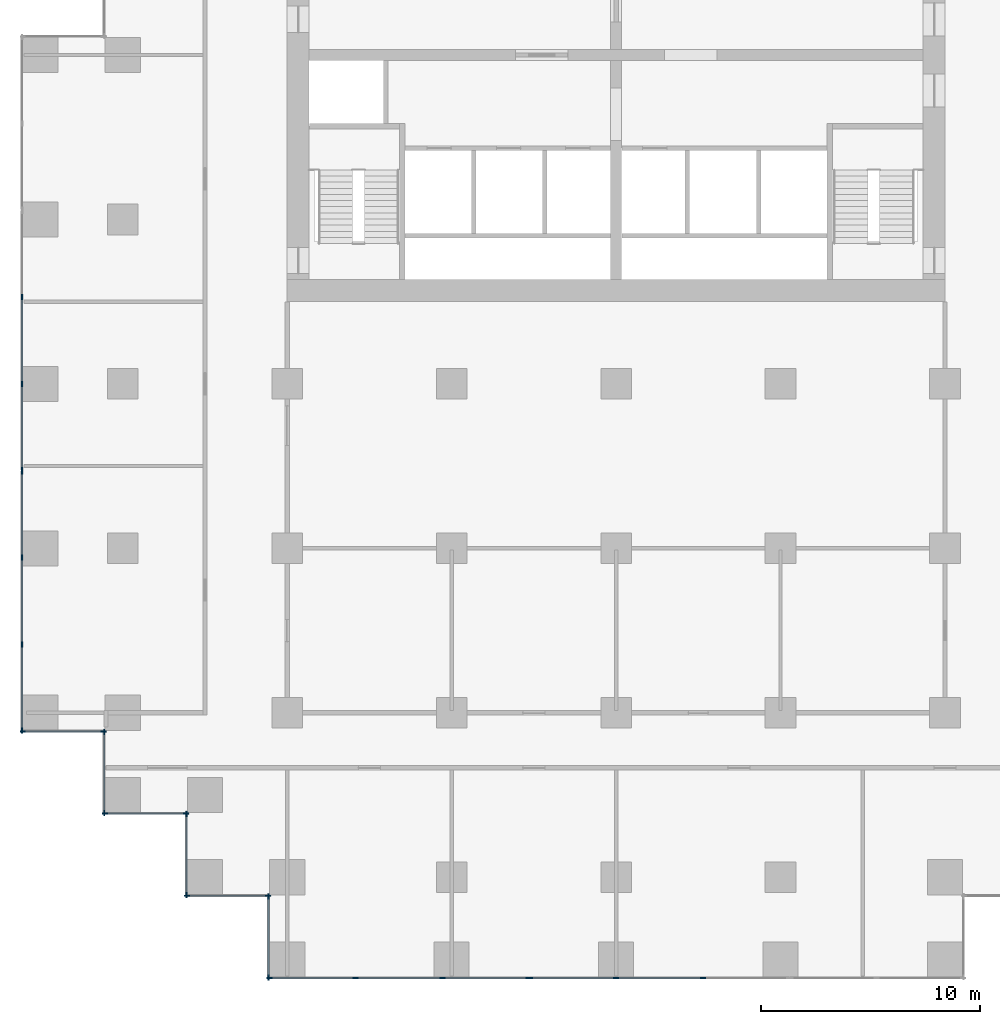
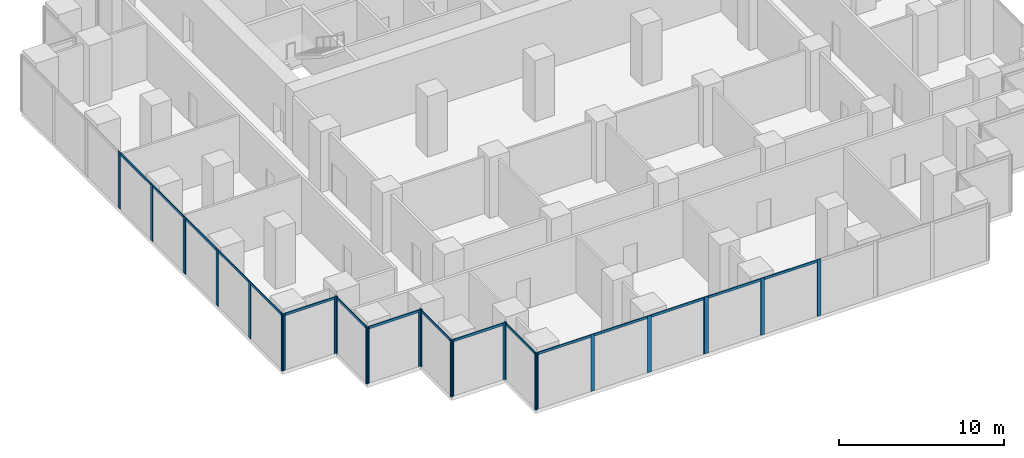
# One storey, part 2 of 10: 42 members, 10 elements without a shape of their own.
"""IFC4 building model written with IfcOpenShell, lengths in metres."""

from ifc_helpers import new_model, si_unit, direction, frame, origin, origin_2d, place, context, subcontext, project, spatial, rectangle, extrude, material, material_profile, profile_set, type_object, element, aggregate, save


model = new_model("IFC4")

# Units and contexts
model_context = context("Model", 3, precision=1e-05, world=origin(), true_north=direction((0.0, 1.0)))
body_context = subcontext(model_context, "Body", "Model", "MODEL_VIEW")
ifc_project = project(units=[si_unit("LENGTHUNIT", "METRE"), si_unit("AREAUNIT", "SQUARE_METRE"), si_unit("VOLUMEUNIT", "CUBIC_METRE"), si_unit("PLANEANGLEUNIT", "RADIAN"), si_unit("MASSUNIT", "GRAM", prefix="KILO")], contexts=[model_context])

# Site, building, storey
site_placement = place(None, origin())
site = spatial("IfcSite", under=ifc_project, at=site_placement, CompositionType="ELEMENT")
building_placement = place(site_placement, origin())
building = spatial("IfcBuilding", under=site, at=building_placement, Name="Pilkhan Gate Tower", CompositionType="ELEMENT")
storey_placement = place(building_placement, frame((0.0, 0.0, 35.0)))
storey = spatial("IfcBuildingStorey", under=building, at=storey_placement, Name="L05", CompositionType="ELEMENT", Elevation=35.0)

# Curtain wall, members
ifc_material_1 = material(Name="Pale anodised aluminium, clear low-iron double glazing", Category="aluminium")
curtain_wall_type = type_object("IfcCurtainWallType", Name="Hotel unitised curtain wall CW-H", PredefinedType="USERDEFINED", material=ifc_material_1)
curtain_wall_1_placement = place(storey_placement, origin())
curtain_wall_1 = element("IfcCurtainWall", 1, at=curtain_wall_1_placement, inside=storey, type_object=curtain_wall_type, Name="Hotel unitised curtain wall CW-H L05 W", ObjectType="UNITISED CURTAIN WALL", PredefinedType="USERDEFINED")
ifc_material_2 = material(Name="Pale anodised aluminium", Category="aluminium")
ifc_material_profile_1 = material_profile(ifc_material_2, rectangle(XDim=0.06494140625, YDim=0.25, at=origin_2d()), Name="Mullion 250x65")
ifc_profile_set_1 = profile_set([ifc_material_profile_1], Name="Pale anodised aluminium")
member_type_1 = type_object("IfcMemberType", Name="Mullion CW-H 250x65", PredefinedType="MULLION", material=ifc_profile_set_1)
member_1_placement = place(storey_placement, frame((47.905029296875, 51.6875, 0.0), z_axis=(0.0, 0.0, 1.0), x_axis=(-1.0, 0.0, 0.0)))
member_1 = element("IfcMember", 2, at=member_1_placement, type_object=member_type_1, Name="CW-H mullion 1", PredefinedType="MULLION", context=body_context, shape_type="SweptSolid", body=[
    extrude(rectangle(XDim=0.06494140625, YDim=0.25, at=origin_2d()), origin(), (0.0, 0.0, 1.0), 4.199951171875),
])
member_2_placement = place(storey_placement, frame((47.905029296875, 55.6162109375, 0.0), z_axis=(0.0, 0.0, 1.0), x_axis=(-1.0, 0.0, 0.0)))
member_2 = element("IfcMember", 3, at=member_2_placement, type_object=member_type_1, Name="CW-H mullion 2", PredefinedType="MULLION", context=body_context, shape_type="SweptSolid", body=[
    extrude(rectangle(XDim=0.06494140625, YDim=0.25, at=origin_2d()), origin(), (0.0, 0.0, 1.0), 4.199951171875),
])
member_3_placement = place(storey_placement, frame((47.905029296875, 59.577392578125, 0.0), z_axis=(0.0, 0.0, 1.0), x_axis=(-1.0, 0.0, 0.0)))
member_3 = element("IfcMember", 4, at=member_3_placement, type_object=member_type_1, Name="CW-H mullion 3", PredefinedType="MULLION", context=body_context, shape_type="SweptSolid", body=[
    extrude(rectangle(XDim=0.06494140625, YDim=0.25, at=origin_2d()), origin(), (0.0, 0.0, 1.0), 4.199951171875),
])
member_4_placement = place(storey_placement, frame((47.905029296875, 63.50634765625, 0.0), z_axis=(0.0, 0.0, 1.0), x_axis=(-1.0, 0.0, 0.0)))
member_4 = element("IfcMember", 5, at=member_4_placement, type_object=member_type_1, Name="CW-H mullion 4", PredefinedType="MULLION", context=body_context, shape_type="SweptSolid", body=[
    extrude(rectangle(XDim=0.06494140625, YDim=0.25, at=origin_2d()), origin(), (0.0, 0.0, 1.0), 4.199951171875),
])

curtain_wall_2_placement = place(storey_placement, origin())
curtain_wall_2 = element("IfcCurtainWall", 6, at=curtain_wall_2_placement, inside=storey, type_object=curtain_wall_type, Name="Hotel unitised curtain wall CW-H L05 W", ObjectType="UNITISED CURTAIN WALL", PredefinedType="USERDEFINED")
member_5_placement = place(storey_placement, frame((47.905029296875, 63.5712890625, 0.0), z_axis=(0.0, 0.0, 1.0), x_axis=(-1.0, 0.0, 0.0)))
member_5 = element("IfcMember", 7, at=member_5_placement, type_object=member_type_1, Name="CW-H mullion 1", PredefinedType="MULLION", context=body_context, shape_type="SweptSolid", body=[
    extrude(rectangle(XDim=0.06494140625, YDim=0.25, at=origin_2d()), origin(), (0.0, 0.0, 1.0), 4.199951171875),
])
member_6_placement = place(storey_placement, frame((47.905029296875, 67.5, 0.0), z_axis=(0.0, 0.0, 1.0), x_axis=(-1.0, 0.0, 0.0)))
member_6 = element("IfcMember", 8, at=member_6_placement, type_object=member_type_1, Name="CW-H mullion 2", PredefinedType="MULLION", context=body_context, shape_type="SweptSolid", body=[
    extrude(rectangle(XDim=0.06494140625, YDim=0.25, at=origin_2d()), origin(), (0.0, 0.0, 1.0), 4.199951171875),
])
member_7_placement = place(storey_placement, frame((47.905029296875, 71.461181640625, 0.0), z_axis=(0.0, 0.0, 1.0), x_axis=(-1.0, 0.0, 0.0)))
member_7 = element("IfcMember", 9, at=member_7_placement, type_object=member_type_1, Name="CW-H mullion 3", PredefinedType="MULLION", context=body_context, shape_type="SweptSolid", body=[
    extrude(rectangle(XDim=0.06494140625, YDim=0.25, at=origin_2d()), origin(), (0.0, 0.0, 1.0), 4.199951171875),
])

curtain_wall_3_placement = place(storey_placement, origin())
curtain_wall_3 = element("IfcCurtainWall", 10, at=curtain_wall_3_placement, inside=storey, type_object=curtain_wall_type, Name="Hotel unitised curtain wall CW-H L05 S", ObjectType="UNITISED CURTAIN WALL", PredefinedType="USERDEFINED")
member_8_placement = place(storey_placement, frame((47.9375, 51.655029296875, 0.0), z_axis=(0.0, 0.0, 1.0), x_axis=(0.0, 1.0, 0.0)))
member_8 = element("IfcMember", 11, at=member_8_placement, type_object=member_type_1, Name="CW-H mullion 1", PredefinedType="MULLION", context=body_context, shape_type="SweptSolid", body=[
    extrude(rectangle(XDim=0.06494140625, YDim=0.25, at=origin_2d()), origin(), (0.0, 0.0, 1.0), 4.199951171875),
])
member_9_placement = place(storey_placement, frame((51.62255859375, 51.655029296875, 0.0), z_axis=(0.0, 0.0, 1.0), x_axis=(0.0, 1.0, 0.0)))
member_9 = element("IfcMember", 12, at=member_9_placement, type_object=member_type_1, Name="CW-H mullion 2", PredefinedType="MULLION", context=body_context, shape_type="SweptSolid", body=[
    extrude(rectangle(XDim=0.06494140625, YDim=0.25, at=origin_2d()), origin(), (0.0, 0.0, 1.0), 4.199951171875),
])

curtain_wall_4_placement = place(storey_placement, origin())
curtain_wall_4 = element("IfcCurtainWall", 13, at=curtain_wall_4_placement, inside=storey, type_object=curtain_wall_type, Name="Hotel unitised curtain wall CW-H L05 W", ObjectType="UNITISED CURTAIN WALL", PredefinedType="USERDEFINED")
member_10_placement = place(storey_placement, frame((51.655029296875, 47.9375, 0.0), z_axis=(0.0, 0.0, 1.0), x_axis=(-1.0, 0.0, 0.0)))
member_10 = element("IfcMember", 14, at=member_10_placement, type_object=member_type_1, Name="CW-H mullion 1", PredefinedType="MULLION", context=body_context, shape_type="SweptSolid", body=[
    extrude(rectangle(XDim=0.06494140625, YDim=0.25, at=origin_2d()), origin(), (0.0, 0.0, 1.0), 4.199951171875),
])
member_11_placement = place(storey_placement, frame((51.655029296875, 51.62255859375, 0.0), z_axis=(0.0, 0.0, 1.0), x_axis=(-1.0, 0.0, 0.0)))
member_11 = element("IfcMember", 15, at=member_11_placement, type_object=member_type_1, Name="CW-H mullion 2", PredefinedType="MULLION", context=body_context, shape_type="SweptSolid", body=[
    extrude(rectangle(XDim=0.06494140625, YDim=0.25, at=origin_2d()), origin(), (0.0, 0.0, 1.0), 4.199951171875),
])

curtain_wall_5_placement = place(storey_placement, origin())
curtain_wall_5 = element("IfcCurtainWall", 16, at=curtain_wall_5_placement, inside=storey, type_object=curtain_wall_type, Name="Hotel unitised curtain wall CW-H L05 S", ObjectType="UNITISED CURTAIN WALL", PredefinedType="USERDEFINED")
member_12_placement = place(storey_placement, frame((51.6875, 47.905029296875, 0.0), z_axis=(0.0, 0.0, 1.0), x_axis=(0.0, 1.0, 0.0)))
member_12 = element("IfcMember", 17, at=member_12_placement, type_object=member_type_1, Name="CW-H mullion 1", PredefinedType="MULLION", context=body_context, shape_type="SweptSolid", body=[
    extrude(rectangle(XDim=0.06494140625, YDim=0.25, at=origin_2d()), origin(), (0.0, 0.0, 1.0), 4.199951171875),
])
member_13_placement = place(storey_placement, frame((55.37255859375, 47.905029296875, 0.0), z_axis=(0.0, 0.0, 1.0), x_axis=(0.0, 1.0, 0.0)))
member_13 = element("IfcMember", 18, at=member_13_placement, type_object=member_type_1, Name="CW-H mullion 2", PredefinedType="MULLION", context=body_context, shape_type="SweptSolid", body=[
    extrude(rectangle(XDim=0.06494140625, YDim=0.25, at=origin_2d()), origin(), (0.0, 0.0, 1.0), 4.199951171875),
])

curtain_wall_6_placement = place(storey_placement, origin())
curtain_wall_6 = element("IfcCurtainWall", 19, at=curtain_wall_6_placement, inside=storey, type_object=curtain_wall_type, Name="Hotel unitised curtain wall CW-H L05 W", ObjectType="UNITISED CURTAIN WALL", PredefinedType="USERDEFINED")
member_14_placement = place(storey_placement, frame((55.405029296875, 44.1875, 0.0), z_axis=(0.0, 0.0, 1.0), x_axis=(-1.0, 0.0, 0.0)))
member_14 = element("IfcMember", 20, at=member_14_placement, type_object=member_type_1, Name="CW-H mullion 1", PredefinedType="MULLION", context=body_context, shape_type="SweptSolid", body=[
    extrude(rectangle(XDim=0.06494140625, YDim=0.25, at=origin_2d()), origin(), (0.0, 0.0, 1.0), 4.199951171875),
])
member_15_placement = place(storey_placement, frame((55.405029296875, 47.87255859375, 0.0), z_axis=(0.0, 0.0, 1.0), x_axis=(-1.0, 0.0, 0.0)))
member_15 = element("IfcMember", 21, at=member_15_placement, type_object=member_type_1, Name="CW-H mullion 2", PredefinedType="MULLION", context=body_context, shape_type="SweptSolid", body=[
    extrude(rectangle(XDim=0.06494140625, YDim=0.25, at=origin_2d()), origin(), (0.0, 0.0, 1.0), 4.199951171875),
])

curtain_wall_7_placement = place(storey_placement, origin())
curtain_wall_7 = element("IfcCurtainWall", 22, at=curtain_wall_7_placement, inside=storey, type_object=curtain_wall_type, Name="Hotel unitised curtain wall CW-H L05 S", ObjectType="UNITISED CURTAIN WALL", PredefinedType="USERDEFINED")
member_16_placement = place(storey_placement, frame((55.4375, 44.155029296875, 0.0), z_axis=(0.0, 0.0, 1.0), x_axis=(0.0, 1.0, 0.0)))
member_16 = element("IfcMember", 23, at=member_16_placement, type_object=member_type_1, Name="CW-H mullion 1", PredefinedType="MULLION", context=body_context, shape_type="SweptSolid", body=[
    extrude(rectangle(XDim=0.06494140625, YDim=0.25, at=origin_2d()), origin(), (0.0, 0.0, 1.0), 4.199951171875),
])
member_17_placement = place(storey_placement, frame((59.12255859375, 44.155029296875, 0.0), z_axis=(0.0, 0.0, 1.0), x_axis=(0.0, 1.0, 0.0)))
member_17 = element("IfcMember", 24, at=member_17_placement, type_object=member_type_1, Name="CW-H mullion 2", PredefinedType="MULLION", context=body_context, shape_type="SweptSolid", body=[
    extrude(rectangle(XDim=0.06494140625, YDim=0.25, at=origin_2d()), origin(), (0.0, 0.0, 1.0), 4.199951171875),
])

curtain_wall_8_placement = place(storey_placement, origin())
curtain_wall_8 = element("IfcCurtainWall", 25, at=curtain_wall_8_placement, inside=storey, type_object=curtain_wall_type, Name="Hotel unitised curtain wall CW-H L05 W", ObjectType="UNITISED CURTAIN WALL", PredefinedType="USERDEFINED")
member_18_placement = place(storey_placement, frame((59.155029296875, 40.4375, 0.0), z_axis=(0.0, 0.0, 1.0), x_axis=(-1.0, 0.0, 0.0)))
member_18 = element("IfcMember", 26, at=member_18_placement, type_object=member_type_1, Name="CW-H mullion 1", PredefinedType="MULLION", context=body_context, shape_type="SweptSolid", body=[
    extrude(rectangle(XDim=0.06494140625, YDim=0.25, at=origin_2d()), origin(), (0.0, 0.0, 1.0), 4.199951171875),
])
member_19_placement = place(storey_placement, frame((59.155029296875, 44.12255859375, 0.0), z_axis=(0.0, 0.0, 1.0), x_axis=(-1.0, 0.0, 0.0)))
member_19 = element("IfcMember", 27, at=member_19_placement, type_object=member_type_1, Name="CW-H mullion 2", PredefinedType="MULLION", context=body_context, shape_type="SweptSolid", body=[
    extrude(rectangle(XDim=0.06494140625, YDim=0.25, at=origin_2d()), origin(), (0.0, 0.0, 1.0), 4.199951171875),
])

curtain_wall_9_placement = place(storey_placement, origin())
curtain_wall_9 = element("IfcCurtainWall", 28, at=curtain_wall_9_placement, inside=storey, type_object=curtain_wall_type, Name="Hotel unitised curtain wall CW-H L05 S", ObjectType="UNITISED CURTAIN WALL", PredefinedType="USERDEFINED")
member_20_placement = place(storey_placement, frame((59.1875, 40.405029296875, 0.0), z_axis=(0.0, 0.0, 1.0), x_axis=(0.0, 1.0, 0.0)))
member_20 = element("IfcMember", 29, at=member_20_placement, type_object=member_type_1, Name="CW-H mullion 1", PredefinedType="MULLION", context=body_context, shape_type="SweptSolid", body=[
    extrude(rectangle(XDim=0.06494140625, YDim=0.25, at=origin_2d()), origin(), (0.0, 0.0, 1.0), 4.199951171875),
])
member_21_placement = place(storey_placement, frame((63.1162109375, 40.405029296875, 0.0), z_axis=(0.0, 0.0, 1.0), x_axis=(0.0, 1.0, 0.0)))
member_21 = element("IfcMember", 30, at=member_21_placement, type_object=member_type_1, Name="CW-H mullion 2", PredefinedType="MULLION", context=body_context, shape_type="SweptSolid", body=[
    extrude(rectangle(XDim=0.06494140625, YDim=0.25, at=origin_2d()), origin(), (0.0, 0.0, 1.0), 4.199951171875),
])
member_22_placement = place(storey_placement, frame((67.077392578125, 40.405029296875, 0.0), z_axis=(0.0, 0.0, 1.0), x_axis=(0.0, 1.0, 0.0)))
member_22 = element("IfcMember", 31, at=member_22_placement, type_object=member_type_1, Name="CW-H mullion 3", PredefinedType="MULLION", context=body_context, shape_type="SweptSolid", body=[
    extrude(rectangle(XDim=0.06494140625, YDim=0.25, at=origin_2d()), origin(), (0.0, 0.0, 1.0), 4.199951171875),
])
member_23_placement = place(storey_placement, frame((71.00634765625, 40.405029296875, 0.0), z_axis=(0.0, 0.0, 1.0), x_axis=(0.0, 1.0, 0.0)))
member_23 = element("IfcMember", 32, at=member_23_placement, type_object=member_type_1, Name="CW-H mullion 4", PredefinedType="MULLION", context=body_context, shape_type="SweptSolid", body=[
    extrude(rectangle(XDim=0.06494140625, YDim=0.25, at=origin_2d()), origin(), (0.0, 0.0, 1.0), 4.199951171875),
])

curtain_wall_10_placement = place(storey_placement, origin())
curtain_wall_10 = element("IfcCurtainWall", 33, at=curtain_wall_10_placement, inside=storey, type_object=curtain_wall_type, Name="Hotel unitised curtain wall CW-H L05 S", ObjectType="UNITISED CURTAIN WALL", PredefinedType="USERDEFINED")
member_24_placement = place(storey_placement, frame((71.0712890625, 40.405029296875, 0.0), z_axis=(0.0, 0.0, 1.0), x_axis=(0.0, 1.0, 0.0)))
member_24 = element("IfcMember", 34, at=member_24_placement, type_object=member_type_1, Name="CW-H mullion 1", PredefinedType="MULLION", context=body_context, shape_type="SweptSolid", body=[
    extrude(rectangle(XDim=0.06494140625, YDim=0.25, at=origin_2d()), origin(), (0.0, 0.0, 1.0), 4.199951171875),
])
member_25_placement = place(storey_placement, frame((75.0, 40.405029296875, 0.0), z_axis=(0.0, 0.0, 1.0), x_axis=(0.0, 1.0, 0.0)))
member_25 = element("IfcMember", 35, at=member_25_placement, type_object=member_type_1, Name="CW-H mullion 2", PredefinedType="MULLION", context=body_context, shape_type="SweptSolid", body=[
    extrude(rectangle(XDim=0.06494140625, YDim=0.25, at=origin_2d()), origin(), (0.0, 0.0, 1.0), 4.199951171875),
])
member_26_placement = place(storey_placement, frame((78.961181640625, 40.405029296875, 0.0), z_axis=(0.0, 0.0, 1.0), x_axis=(0.0, 1.0, 0.0)))
member_26 = element("IfcMember", 36, at=member_26_placement, type_object=member_type_1, Name="CW-H mullion 3", PredefinedType="MULLION", context=body_context, shape_type="SweptSolid", body=[
    extrude(rectangle(XDim=0.06494140625, YDim=0.25, at=origin_2d()), origin(), (0.0, 0.0, 1.0), 4.199951171875),
])

# Member
ifc_material_profile_2 = material_profile(ifc_material_2, rectangle(XDim=0.06494140625, YDim=0.179931640625, at=origin_2d()), Name="Transom 180x65")
ifc_profile_set_2 = profile_set([ifc_material_profile_2], Name="Pale anodised aluminium")
member_type_2 = type_object("IfcMemberType", Name="Transom CW-H 180x65", PredefinedType="USERDEFINED", material=ifc_profile_set_2)
member_27_placement = place(storey_placement, frame((47.905029296875, 51.719970703125, 4.110107421875), z_axis=(0.0, 1.0, 0.0), x_axis=(-1.0, 0.0, 0.0)))
member_27 = element("IfcMember", 37, at=member_27_placement, type_object=member_type_2, Name="CW-H transom 1", ObjectType="TRANSOM", PredefinedType="USERDEFINED", context=body_context, shape_type="SweptSolid", body=[
    extrude(rectangle(XDim=0.06494140625, YDim=0.179931640625, at=origin_2d()), origin(), (0.0, 0.0, 1.0), 3.86376953125),
])

member_28_placement = place(storey_placement, frame((47.905029296875, 55.648681640625, 4.110107421875), z_axis=(0.0, 1.0, 0.0), x_axis=(-1.0, 0.0, 0.0)))
member_28 = element("IfcMember", 38, at=member_28_placement, type_object=member_type_2, Name="CW-H transom 2", ObjectType="TRANSOM", PredefinedType="USERDEFINED", context=body_context, shape_type="SweptSolid", body=[
    extrude(rectangle(XDim=0.06494140625, YDim=0.179931640625, at=origin_2d()), origin(), (0.0, 0.0, 1.0), 3.896240234375),
])

member_29_placement = place(storey_placement, frame((47.905029296875, 59.610107421875, 4.110107421875), z_axis=(0.0, 1.0, 0.0), x_axis=(-1.0, 0.0, 0.0)))
member_29 = element("IfcMember", 39, at=member_29_placement, type_object=member_type_2, Name="CW-H transom 3", ObjectType="TRANSOM", PredefinedType="USERDEFINED", context=body_context, shape_type="SweptSolid", body=[
    extrude(rectangle(XDim=0.06494140625, YDim=0.179931640625, at=origin_2d()), origin(), (0.0, 0.0, 1.0), 3.863525390625),
])

aggregate(curtain_wall_1, [member_1, member_2, member_3, member_4, member_27, member_28, member_29])

member_30_placement = place(storey_placement, frame((47.905029296875, 63.603759765625, 4.110107421875), z_axis=(0.0, 1.0, 0.0), x_axis=(-1.0, 0.0, 0.0)))
member_30 = element("IfcMember", 40, at=member_30_placement, type_object=member_type_2, Name="CW-H transom 1", ObjectType="TRANSOM", PredefinedType="USERDEFINED", context=body_context, shape_type="SweptSolid", body=[
    extrude(rectangle(XDim=0.06494140625, YDim=0.179931640625, at=origin_2d()), origin(), (0.0, 0.0, 1.0), 3.86376953125),
])

member_31_placement = place(storey_placement, frame((47.905029296875, 67.532470703125, 4.110107421875), z_axis=(0.0, 1.0, 0.0), x_axis=(-1.0, 0.0, 0.0)))
member_31 = element("IfcMember", 41, at=member_31_placement, type_object=member_type_2, Name="CW-H transom 2", ObjectType="TRANSOM", PredefinedType="USERDEFINED", context=body_context, shape_type="SweptSolid", body=[
    extrude(rectangle(XDim=0.06494140625, YDim=0.179931640625, at=origin_2d()), origin(), (0.0, 0.0, 1.0), 3.896240234375),
])

aggregate(curtain_wall_2, [member_5, member_6, member_7, member_30, member_31])

member_32_placement = place(storey_placement, frame((47.969970703125, 51.655029296875, 4.110107421875), z_axis=(1.0, 0.0, 0.0), x_axis=(0.0, 1.0, 0.0)))
member_32 = element("IfcMember", 42, at=member_32_placement, type_object=member_type_2, Name="CW-H transom 1", ObjectType="TRANSOM", PredefinedType="USERDEFINED", context=body_context, shape_type="SweptSolid", body=[
    extrude(rectangle(XDim=0.06494140625, YDim=0.179931640625, at=origin_2d()), origin(), (0.0, 0.0, 1.0), 3.6201171875),
])

aggregate(curtain_wall_3, [member_8, member_9, member_32])

member_33_placement = place(storey_placement, frame((51.655029296875, 47.969970703125, 4.110107421875), z_axis=(0.0, 1.0, 0.0), x_axis=(-1.0, 0.0, 0.0)))
member_33 = element("IfcMember", 43, at=member_33_placement, type_object=member_type_2, Name="CW-H transom 1", ObjectType="TRANSOM", PredefinedType="USERDEFINED", context=body_context, shape_type="SweptSolid", body=[
    extrude(rectangle(XDim=0.06494140625, YDim=0.179931640625, at=origin_2d()), origin(), (0.0, 0.0, 1.0), 3.6201171875),
])

aggregate(curtain_wall_4, [member_10, member_11, member_33])

member_34_placement = place(storey_placement, frame((51.719970703125, 47.905029296875, 4.110107421875), z_axis=(1.0, 0.0, 0.0), x_axis=(0.0, 1.0, 0.0)))
member_34 = element("IfcMember", 44, at=member_34_placement, type_object=member_type_2, Name="CW-H transom 1", ObjectType="TRANSOM", PredefinedType="USERDEFINED", context=body_context, shape_type="SweptSolid", body=[
    extrude(rectangle(XDim=0.06494140625, YDim=0.179931640625, at=origin_2d()), origin(), (0.0, 0.0, 1.0), 3.6201171875),
])

aggregate(curtain_wall_5, [member_12, member_13, member_34])

member_35_placement = place(storey_placement, frame((55.405029296875, 44.219970703125, 4.110107421875), z_axis=(0.0, 1.0, 0.0), x_axis=(-1.0, 0.0, 0.0)))
member_35 = element("IfcMember", 45, at=member_35_placement, type_object=member_type_2, Name="CW-H transom 1", ObjectType="TRANSOM", PredefinedType="USERDEFINED", context=body_context, shape_type="SweptSolid", body=[
    extrude(rectangle(XDim=0.06494140625, YDim=0.179931640625, at=origin_2d()), origin(), (0.0, 0.0, 1.0), 3.6201171875),
])

aggregate(curtain_wall_6, [member_14, member_15, member_35])

member_36_placement = place(storey_placement, frame((55.469970703125, 44.155029296875, 4.110107421875), z_axis=(1.0, 0.0, 0.0), x_axis=(0.0, 1.0, 0.0)))
member_36 = element("IfcMember", 46, at=member_36_placement, type_object=member_type_2, Name="CW-H transom 1", ObjectType="TRANSOM", PredefinedType="USERDEFINED", context=body_context, shape_type="SweptSolid", body=[
    extrude(rectangle(XDim=0.06494140625, YDim=0.179931640625, at=origin_2d()), origin(), (0.0, 0.0, 1.0), 3.6201171875),
])

aggregate(curtain_wall_7, [member_16, member_17, member_36])

member_37_placement = place(storey_placement, frame((59.155029296875, 40.469970703125, 4.110107421875), z_axis=(0.0, 1.0, 0.0), x_axis=(-1.0, 0.0, 0.0)))
member_37 = element("IfcMember", 47, at=member_37_placement, type_object=member_type_2, Name="CW-H transom 1", ObjectType="TRANSOM", PredefinedType="USERDEFINED", context=body_context, shape_type="SweptSolid", body=[
    extrude(rectangle(XDim=0.06494140625, YDim=0.179931640625, at=origin_2d()), origin(), (0.0, 0.0, 1.0), 3.6201171875),
])

aggregate(curtain_wall_8, [member_18, member_19, member_37])

member_38_placement = place(storey_placement, frame((59.219970703125, 40.405029296875, 4.110107421875), z_axis=(1.0, 0.0, 0.0), x_axis=(0.0, 1.0, 0.0)))
member_38 = element("IfcMember", 48, at=member_38_placement, type_object=member_type_2, Name="CW-H transom 1", ObjectType="TRANSOM", PredefinedType="USERDEFINED", context=body_context, shape_type="SweptSolid", body=[
    extrude(rectangle(XDim=0.06494140625, YDim=0.179931640625, at=origin_2d()), origin(), (0.0, 0.0, 1.0), 3.86376953125),
])

member_39_placement = place(storey_placement, frame((63.148681640625, 40.405029296875, 4.110107421875), z_axis=(1.0, 0.0, 0.0), x_axis=(0.0, 1.0, 0.0)))
member_39 = element("IfcMember", 49, at=member_39_placement, type_object=member_type_2, Name="CW-H transom 2", ObjectType="TRANSOM", PredefinedType="USERDEFINED", context=body_context, shape_type="SweptSolid", body=[
    extrude(rectangle(XDim=0.06494140625, YDim=0.179931640625, at=origin_2d()), origin(), (0.0, 0.0, 1.0), 3.896240234375),
])

member_40_placement = place(storey_placement, frame((67.110107421875, 40.405029296875, 4.110107421875), z_axis=(1.0, 0.0, 0.0), x_axis=(0.0, 1.0, 0.0)))
member_40 = element("IfcMember", 50, at=member_40_placement, type_object=member_type_2, Name="CW-H transom 3", ObjectType="TRANSOM", PredefinedType="USERDEFINED", context=body_context, shape_type="SweptSolid", body=[
    extrude(rectangle(XDim=0.06494140625, YDim=0.179931640625, at=origin_2d()), origin(), (0.0, 0.0, 1.0), 3.863525390625),
])

aggregate(curtain_wall_9, [member_20, member_21, member_22, member_23, member_38, member_39, member_40])

member_41_placement = place(storey_placement, frame((71.103759765625, 40.405029296875, 4.110107421875), z_axis=(1.0, 0.0, 0.0), x_axis=(0.0, 1.0, 0.0)))
member_41 = element("IfcMember", 51, at=member_41_placement, type_object=member_type_2, Name="CW-H transom 1", ObjectType="TRANSOM", PredefinedType="USERDEFINED", context=body_context, shape_type="SweptSolid", body=[
    extrude(rectangle(XDim=0.06494140625, YDim=0.179931640625, at=origin_2d()), origin(), (0.0, 0.0, 1.0), 3.86376953125),
])

member_42_placement = place(storey_placement, frame((75.032470703125, 40.405029296875, 4.110107421875), z_axis=(1.0, 0.0, 0.0), x_axis=(0.0, 1.0, 0.0)))
member_42 = element("IfcMember", 52, at=member_42_placement, type_object=member_type_2, Name="CW-H transom 2", ObjectType="TRANSOM", PredefinedType="USERDEFINED", context=body_context, shape_type="SweptSolid", body=[
    extrude(rectangle(XDim=0.06494140625, YDim=0.179931640625, at=origin_2d()), origin(), (0.0, 0.0, 1.0), 3.896240234375),
])

aggregate(curtain_wall_10, [member_24, member_25, member_26, member_41, member_42])

save(model, "model.ifc")
